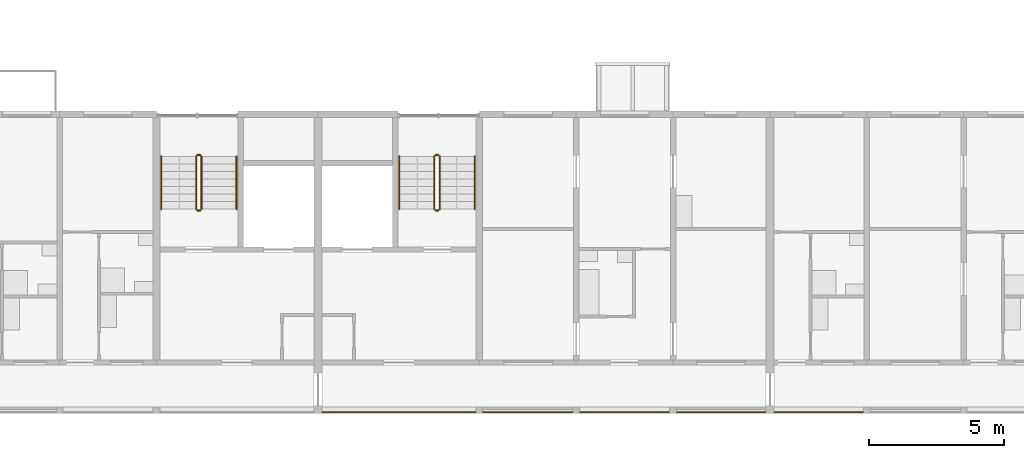
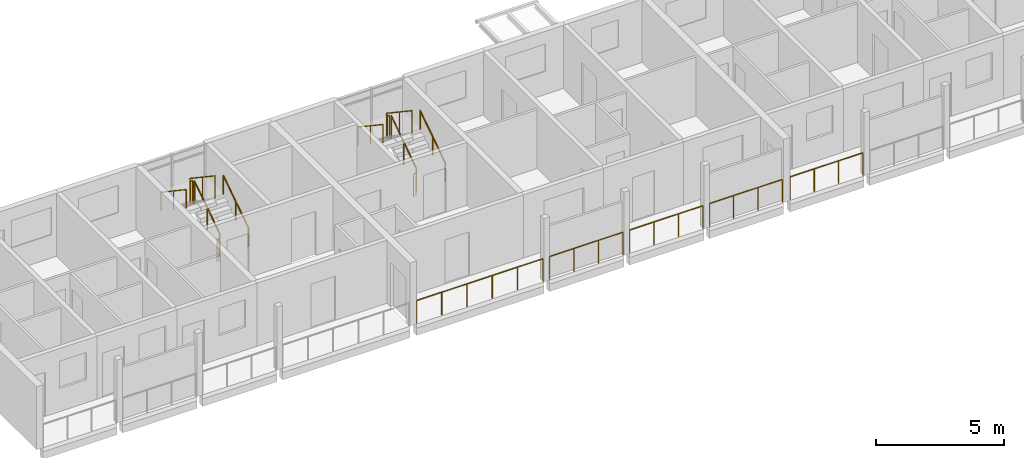
# One storey, part 83 of 94: 17 railings.
"""IFC4 building model written with IfcOpenShell, lengths in metres."""

from ifc_helpers import new_model, si_unit, direction, frame, origin, origin_2d, place, context, subcontext, project, spatial, circle, extrude, material, type_object, element, save


model = new_model("IFC4")

# Units and contexts
model_context = context("Model", 3, precision=1e-05, world=origin(), true_north=direction((0.0, 1.0)))
body_context = subcontext(model_context, "Body", "Model", "MODEL_VIEW")
ifc_project = project(units=[si_unit("LENGTHUNIT", "METRE"), si_unit("AREAUNIT", "SQUARE_METRE"), si_unit("VOLUMEUNIT", "CUBIC_METRE"), si_unit("PLANEANGLEUNIT", "RADIAN"), si_unit("MASSUNIT", "GRAM", prefix="KILO")], contexts=[model_context])

# Site, building, storey
site_placement = place(None, origin())
site = spatial("IfcSite", under=ifc_project, at=site_placement, CompositionType="ELEMENT")
building_placement = place(site_placement, origin())
building = spatial("IfcBuilding", under=site, at=building_placement, Name="Ridgestep Commons", CompositionType="ELEMENT")
storey_placement = place(building_placement, frame((0.0, 0.0, 21.0)))
storey = spatial("IfcBuildingStorey", under=building, at=storey_placement, Name="L07", CompositionType="ELEMENT", Elevation=21.0)

# Railings
ifc_material_1 = material(Name="Structural steel S355JR", Category="steel")
railing_type_1 = type_object("IfcRailingType", Name="Guard 1100", PredefinedType="GUARDRAIL", material=ifc_material_1)
railing_1_placement = place(storey_placement, frame((163.77099609375, 11.800048828125, 0.0)))
element("IfcRailing", 1, at=railing_1_placement, inside=storey, type_object=railing_type_1, Name="Gallery guard D 07.5", PredefinedType="GUARDRAIL", context=body_context, shape_type="SweptSolid", body=[
    extrude(circle(Radius=0.02392578125, at=origin_2d()), frame((0.0, 0.0, 1.076171875), z_axis=(1.0, 0.0, 0.0), x_axis=(0.0, 1.0, 0.0)), (0.0, 0.0, 1.0), 5.68310546875),
    extrude(circle(Radius=0.02099609375, at=origin_2d()), origin(), (0.0, 0.0, 1.0), 1.052001953125),
    extrude(circle(Radius=0.02099609375, at=origin_2d()), frame((1.13671875, 0.0, 0.0)), (0.0, 0.0, 1.0), 1.052001953125),
    extrude(circle(Radius=0.02099609375, at=origin_2d()), frame((2.273193359375, 0.0, 0.0)), (0.0, 0.0, 1.0), 1.052001953125),
    extrude(circle(Radius=0.02099609375, at=origin_2d()), frame((3.409912109375, 0.0, 0.0)), (0.0, 0.0, 1.0), 1.052001953125),
    extrude(circle(Radius=0.02099609375, at=origin_2d()), frame((4.54638671875, 0.0, 0.0)), (0.0, 0.0, 1.0), 1.052001953125),
    extrude(circle(Radius=0.02099609375, at=origin_2d()), frame((5.68310546875, 0.0, 0.0)), (0.0, 0.0, 1.0), 1.052001953125),
])
railing_2_placement = place(storey_placement, frame((169.74609375, 11.800048828125, 0.0)))
element("IfcRailing", 2, at=railing_2_placement, inside=storey, type_object=railing_type_1, Name="Gallery guard D 07.6", PredefinedType="GUARDRAIL", context=body_context, shape_type="SweptSolid", body=[
    extrude(circle(Radius=0.02392578125, at=origin_2d()), frame((0.0, 0.0, 1.076171875), z_axis=(1.0, 0.0, 0.0), x_axis=(0.0, 1.0, 0.0)), (0.0, 0.0, 1.0), 3.307861328125),
    extrude(circle(Radius=0.02099609375, at=origin_2d()), origin(), (0.0, 0.0, 1.0), 1.052001953125),
    extrude(circle(Radius=0.02099609375, at=origin_2d()), frame((1.1025390625, 0.0, 0.0)), (0.0, 0.0, 1.0), 1.052001953125),
    extrude(circle(Radius=0.02099609375, at=origin_2d()), frame((2.205322265625, 0.0, 0.0)), (0.0, 0.0, 1.0), 1.052001953125),
    extrude(circle(Radius=0.02099609375, at=origin_2d()), frame((3.307861328125, 0.0, 0.0)), (0.0, 0.0, 1.0), 1.052001953125),
])
railing_3_placement = place(storey_placement, frame((173.345947265625, 11.800048828125, 0.0)))
element("IfcRailing", 3, at=railing_3_placement, inside=storey, type_object=railing_type_1, Name="Gallery guard D 07.7", PredefinedType="GUARDRAIL", context=body_context, shape_type="SweptSolid", body=[
    extrude(circle(Radius=0.02392578125, at=origin_2d()), frame((0.0, 0.0, 1.076171875), z_axis=(1.0, 0.0, 0.0), x_axis=(0.0, 1.0, 0.0)), (0.0, 0.0, 1.0), 3.30810546875),
    extrude(circle(Radius=0.02099609375, at=origin_2d()), origin(), (0.0, 0.0, 1.0), 1.052001953125),
    extrude(circle(Radius=0.02099609375, at=origin_2d()), frame((1.102783203125, 0.0, 0.0)), (0.0, 0.0, 1.0), 1.052001953125),
    extrude(circle(Radius=0.02099609375, at=origin_2d()), frame((2.205322265625, 0.0, 0.0)), (0.0, 0.0, 1.0), 1.052001953125),
    extrude(circle(Radius=0.02099609375, at=origin_2d()), frame((3.30810546875, 0.0, 0.0)), (0.0, 0.0, 1.0), 1.052001953125),
])
for number, where, name in (
    (4, (176.946044921875, 11.800048828125, 0.0), "Gallery guard D 07.8"),
    (5, (180.571044921875, 11.800048828125, 0.0), "Gallery guard D 07.9"),
):
    element("IfcRailing", number, at=place(storey_placement, frame(where)), inside=storey, type_object=railing_type_1, Name=name, PredefinedType="GUARDRAIL", context=body_context, shape_type="SweptSolid", body=[
        extrude(circle(Radius=0.02392578125, at=origin_2d()), frame((0.0, 0.0, 1.076171875), z_axis=(1.0, 0.0, 0.0), x_axis=(0.0, 1.0, 0.0)), (0.0, 0.0, 1.0), 3.282958984375),
        extrude(circle(Radius=0.02099609375, at=origin_2d()), origin(), (0.0, 0.0, 1.0), 1.052001953125),
        extrude(circle(Radius=0.02099609375, at=origin_2d()), frame((1.09423828125, 0.0, 0.0)), (0.0, 0.0, 1.0), 1.052001953125),
        extrude(circle(Radius=0.02099609375, at=origin_2d()), frame((2.188720703125, 0.0, 0.0)), (0.0, 0.0, 1.0), 1.052001953125),
        extrude(circle(Radius=0.02099609375, at=origin_2d()), frame((3.282958984375, 0.0, 0.0)), (0.0, 0.0, 1.0), 1.052001953125),
    ])
ifc_material_2 = material(Name="Structural steel S355JR", Category="steel")
railing_type_2 = type_object("IfcRailingType", Name="Stair guard 1100", PredefinedType="GUARDRAIL", material=ifc_material_2)
railing_4_placement = place(storey_placement, frame((159.27490234375, 19.35009765625, 0.1875)))
element("IfcRailing", 6, at=railing_4_placement, inside=storey, type_object=railing_type_2, Name="L07 D1C stair guard 1", PredefinedType="GUARDRAIL", context=body_context, shape_type="SweptSolid", body=[
    extrude(circle(Radius=0.02392578125, at=origin_2d()), frame((0.0, 0.0, 1.076171875), z_axis=(0.0, 0.830902050051, 0.556418712142), x_axis=(-1.0, 0.0, 0.0)), (0.0, 0.0, 1.0), 2.35888671875),
    extrude(circle(Radius=0.02099609375, at=origin_2d()), origin(), (0.0, 0.0, 1.0), 1.052001953125),
    extrude(circle(Radius=0.02099609375, at=origin_2d()), frame((0.0, 0.97998046875, 0.65625)), (0.0, 0.0, 1.0), 1.052001953125),
    extrude(circle(Radius=0.02099609375, at=origin_2d()), frame((0.0, 1.9599609375, 1.3125)), (0.0, 0.0, 1.0), 1.052001953125),
])
railing_5_placement = place(storey_placement, frame((159.22509765625, 21.360107421875, 1.5)))
element("IfcRailing", 7, at=railing_5_placement, inside=storey, type_object=railing_type_2, Name="L07 D1C stair guard 2", PredefinedType="GUARDRAIL", context=body_context, shape_type="SweptSolid", body=[
    extrude(circle(Radius=0.02392578125, at=origin_2d()), frame((0.0, 0.0, 1.076171875), z_axis=(-1.0, 0.0, 0.0), x_axis=(0.0, -1.0, 0.0)), (0.0, 0.0, 1.0), 0.10009765625),
    extrude(circle(Radius=0.02099609375, at=origin_2d()), origin(), (0.0, 0.0, 1.0), 1.052001953125),
    extrude(circle(Radius=0.02099609375, at=origin_2d()), frame((-0.10009765625, 0.0, 0.0)), (0.0, 0.0, 1.0), 1.052001953125),
])
railing_6_placement = place(storey_placement, frame((159.074951171875, 21.31005859375, 1.6875)))
element("IfcRailing", 8, at=railing_6_placement, inside=storey, type_object=railing_type_2, Name="L07 D1C stair guard 3", PredefinedType="GUARDRAIL", context=body_context, shape_type="SweptSolid", body=[
    extrude(circle(Radius=0.02392578125, at=origin_2d()), frame((0.0, 0.0, 1.076171875), z_axis=(0.0, -0.830902050051, 0.556418712142), x_axis=(1.0, 0.0, 0.0)), (0.0, 0.0, 1.0), 2.35888671875),
    extrude(circle(Radius=0.02099609375, at=origin_2d()), origin(), (0.0, 0.0, 1.0), 1.052001953125),
    extrude(circle(Radius=0.02099609375, at=origin_2d()), frame((0.0, -0.97998046875, 0.65625)), (0.0, 0.0, 1.0), 1.052001953125),
    extrude(circle(Radius=0.02099609375, at=origin_2d()), frame((0.0, -1.9599609375, 1.3125)), (0.0, 0.0, 1.0), 1.052001953125),
])
railing_7_placement = place(storey_placement, frame((159.22509765625, 19.300048828125, 0.0)))
element("IfcRailing", 9, at=railing_7_placement, inside=storey, type_object=railing_type_2, Name="L07 D1C stair guard 4", PredefinedType="GUARDRAIL", context=body_context, shape_type="SweptSolid", body=[
    extrude(circle(Radius=0.02392578125, at=origin_2d()), frame((0.0, 0.0, 1.076171875), z_axis=(-1.0, 0.0, 0.0), x_axis=(0.0, -1.0, 0.0)), (0.0, 0.0, 1.0), 0.10009765625),
    extrude(circle(Radius=0.02099609375, at=origin_2d()), origin(), (0.0, 0.0, 1.0), 1.052001953125),
    extrude(circle(Radius=0.02099609375, at=origin_2d()), frame((-0.10009765625, 0.0, 0.0)), (0.0, 0.0, 1.0), 1.052001953125),
])
railing_8_placement = place(storey_placement, frame((168.125, 19.35009765625, 0.1875)))
element("IfcRailing", 10, at=railing_8_placement, inside=storey, type_object=railing_type_2, Name="L07 D2C stair guard 1", PredefinedType="GUARDRAIL", context=body_context, shape_type="SweptSolid", body=[
    extrude(circle(Radius=0.02392578125, at=origin_2d()), frame((0.0, 0.0, 1.076171875), z_axis=(0.0, 0.830902050051, 0.556418712142), x_axis=(-1.0, 0.0, 0.0)), (0.0, 0.0, 1.0), 2.35888671875),
    extrude(circle(Radius=0.02099609375, at=origin_2d()), origin(), (0.0, 0.0, 1.0), 1.052001953125),
    extrude(circle(Radius=0.02099609375, at=origin_2d()), frame((0.0, 0.97998046875, 0.65625)), (0.0, 0.0, 1.0), 1.052001953125),
    extrude(circle(Radius=0.02099609375, at=origin_2d()), frame((0.0, 1.9599609375, 1.3125)), (0.0, 0.0, 1.0), 1.052001953125),
])
railing_9_placement = place(storey_placement, frame((168.074951171875, 21.360107421875, 1.5)))
element("IfcRailing", 11, at=railing_9_placement, inside=storey, type_object=railing_type_2, Name="L07 D2C stair guard 2", PredefinedType="GUARDRAIL", context=body_context, shape_type="SweptSolid", body=[
    extrude(circle(Radius=0.02392578125, at=origin_2d()), frame((0.0, 0.0, 1.076171875), z_axis=(-1.0, 0.0, 0.0), x_axis=(0.0, -1.0, 0.0)), (0.0, 0.0, 1.0), 0.099853515625),
    extrude(circle(Radius=0.02099609375, at=origin_2d()), origin(), (0.0, 0.0, 1.0), 1.052001953125),
    extrude(circle(Radius=0.02099609375, at=origin_2d()), frame((-0.099853515625, 0.0, 0.0)), (0.0, 0.0, 1.0), 1.052001953125),
])
railing_10_placement = place(storey_placement, frame((167.925048828125, 21.31005859375, 1.6875)))
element("IfcRailing", 12, at=railing_10_placement, inside=storey, type_object=railing_type_2, Name="L07 D2C stair guard 3", PredefinedType="GUARDRAIL", context=body_context, shape_type="SweptSolid", body=[
    extrude(circle(Radius=0.02392578125, at=origin_2d()), frame((0.0, 0.0, 1.076171875), z_axis=(0.0, -0.830902050051, 0.556418712142), x_axis=(1.0, 0.0, 0.0)), (0.0, 0.0, 1.0), 2.35888671875),
    extrude(circle(Radius=0.02099609375, at=origin_2d()), origin(), (0.0, 0.0, 1.0), 1.052001953125),
    extrude(circle(Radius=0.02099609375, at=origin_2d()), frame((0.0, -0.97998046875, 0.65625)), (0.0, 0.0, 1.0), 1.052001953125),
    extrude(circle(Radius=0.02099609375, at=origin_2d()), frame((0.0, -1.9599609375, 1.3125)), (0.0, 0.0, 1.0), 1.052001953125),
])
railing_11_placement = place(storey_placement, frame((168.074951171875, 19.300048828125, 0.0)))
element("IfcRailing", 13, at=railing_11_placement, inside=storey, type_object=railing_type_2, Name="L07 D2C stair guard 4", PredefinedType="GUARDRAIL", context=body_context, shape_type="SweptSolid", body=[
    extrude(circle(Radius=0.02392578125, at=origin_2d()), frame((0.0, 0.0, 1.076171875), z_axis=(-1.0, 0.0, 0.0), x_axis=(0.0, -1.0, 0.0)), (0.0, 0.0, 1.0), 0.099853515625),
    extrude(circle(Radius=0.02099609375, at=origin_2d()), origin(), (0.0, 0.0, 1.0), 1.052001953125),
    extrude(circle(Radius=0.02099609375, at=origin_2d()), frame((-0.099853515625, 0.0, 0.0)), (0.0, 0.0, 1.0), 1.052001953125),
])
ifc_material_3 = material(Name="Structural steel S355JR", Category="steel")
railing_type_3 = type_object("IfcRailingType", Name="Stair handrail 900", PredefinedType="HANDRAIL", material=ifc_material_3)
railing_12_placement = place(storey_placement, frame((160.574951171875, 19.35009765625, 0.1875)))
element("IfcRailing", 14, at=railing_12_placement, inside=storey, type_object=railing_type_3, Name="L07 D1C stair handrail 1", PredefinedType="HANDRAIL", context=body_context, shape_type="SweptSolid", body=[
    extrude(circle(Radius=0.02392578125, at=origin_2d()), frame((0.0, 0.0, 0.8759765625), z_axis=(0.0, 0.830902050051, 0.556418712142), x_axis=(-1.0, 0.0, 0.0)), (0.0, 0.0, 1.0), 2.35888671875),
    extrude(circle(Radius=0.02099609375, at=origin_2d()), origin(), (0.0, 0.0, 1.0), 0.851806640625),
    extrude(circle(Radius=0.02099609375, at=origin_2d()), frame((0.0, 0.97998046875, 0.65625)), (0.0, 0.0, 1.0), 0.851806640625),
    extrude(circle(Radius=0.02099609375, at=origin_2d()), frame((0.0, 1.9599609375, 1.3125)), (0.0, 0.0, 1.0), 0.851806640625),
])
railing_13_placement = place(storey_placement, frame((157.77490234375, 21.31005859375, 1.6875)))
element("IfcRailing", 15, at=railing_13_placement, inside=storey, type_object=railing_type_3, Name="L07 D1C stair handrail 2", PredefinedType="HANDRAIL", context=body_context, shape_type="SweptSolid", body=[
    extrude(circle(Radius=0.02392578125, at=origin_2d()), frame((0.0, 0.0, 0.8759765625), z_axis=(0.0, -0.830902050051, 0.556418712142), x_axis=(1.0, 0.0, 0.0)), (0.0, 0.0, 1.0), 2.35888671875),
    extrude(circle(Radius=0.02099609375, at=origin_2d()), origin(), (0.0, 0.0, 1.0), 0.851806640625),
    extrude(circle(Radius=0.02099609375, at=origin_2d()), frame((0.0, -0.97998046875, 0.65625)), (0.0, 0.0, 1.0), 0.851806640625),
    extrude(circle(Radius=0.02099609375, at=origin_2d()), frame((0.0, -1.9599609375, 1.3125)), (0.0, 0.0, 1.0), 0.851806640625),
])
railing_14_placement = place(storey_placement, frame((169.425048828125, 19.35009765625, 0.1875)))
element("IfcRailing", 16, at=railing_14_placement, inside=storey, type_object=railing_type_3, Name="L07 D2C stair handrail 1", PredefinedType="HANDRAIL", context=body_context, shape_type="SweptSolid", body=[
    extrude(circle(Radius=0.02392578125, at=origin_2d()), frame((0.0, 0.0, 0.8759765625), z_axis=(0.0, 0.830902050051, 0.556418712142), x_axis=(-1.0, 0.0, 0.0)), (0.0, 0.0, 1.0), 2.35888671875),
    extrude(circle(Radius=0.02099609375, at=origin_2d()), origin(), (0.0, 0.0, 1.0), 0.851806640625),
    extrude(circle(Radius=0.02099609375, at=origin_2d()), frame((0.0, 0.97998046875, 0.65625)), (0.0, 0.0, 1.0), 0.851806640625),
    extrude(circle(Radius=0.02099609375, at=origin_2d()), frame((0.0, 1.9599609375, 1.3125)), (0.0, 0.0, 1.0), 0.851806640625),
])
railing_15_placement = place(storey_placement, frame((166.625, 21.31005859375, 1.6875)))
element("IfcRailing", 17, at=railing_15_placement, inside=storey, type_object=railing_type_3, Name="L07 D2C stair handrail 2", PredefinedType="HANDRAIL", context=body_context, shape_type="SweptSolid", body=[
    extrude(circle(Radius=0.02392578125, at=origin_2d()), frame((0.0, 0.0, 0.8759765625), z_axis=(0.0, -0.830902050051, 0.556418712142), x_axis=(1.0, 0.0, 0.0)), (0.0, 0.0, 1.0), 2.35888671875),
    extrude(circle(Radius=0.02099609375, at=origin_2d()), origin(), (0.0, 0.0, 1.0), 0.851806640625),
    extrude(circle(Radius=0.02099609375, at=origin_2d()), frame((0.0, -0.97998046875, 0.65625)), (0.0, 0.0, 1.0), 0.851806640625),
    extrude(circle(Radius=0.02099609375, at=origin_2d()), frame((0.0, -1.9599609375, 1.3125)), (0.0, 0.0, 1.0), 0.851806640625),
])

save(model, "model.ifc")
